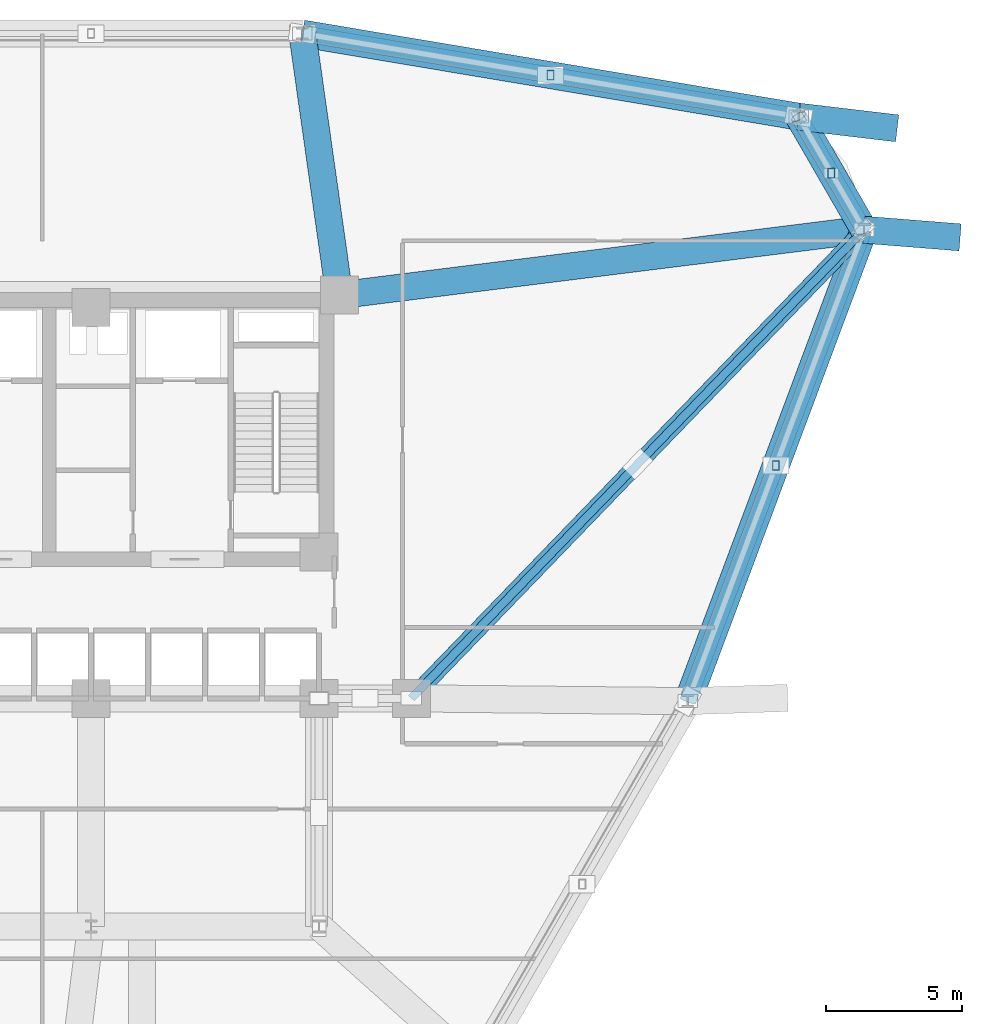
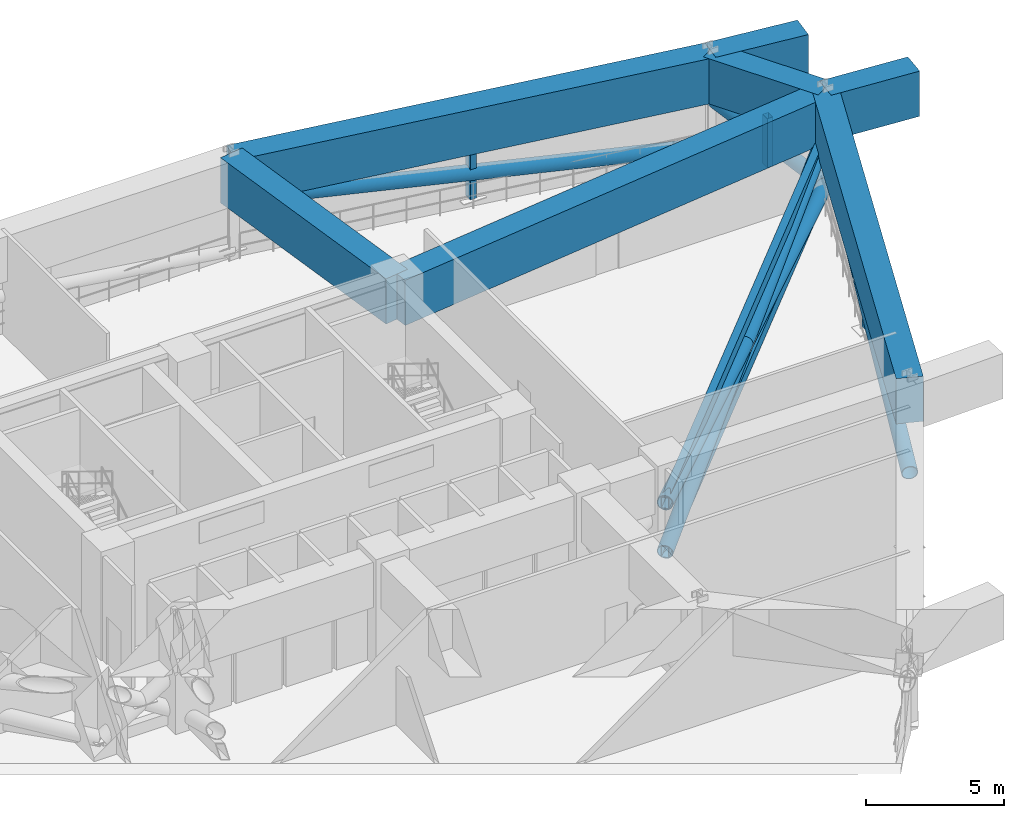
# One storey, part 6 of 12: 11 members, 7 beams.
"""IFC4 building model written with IfcOpenShell, lengths in metres."""

from ifc_helpers import new_model, si_unit, derived_unit, direction, frame, origin, origin_2d, place, context, subcontext, project, spatial, rectangle, hollow_rectangle, hollow_circle, extrude, source, transform, mapped, material, material_profile, profile_set, type_object, element, save


model = new_model("IFC4")

# Units and contexts
model_context = context("Model", 3, precision=1e-05, world=origin(), true_north=direction((0.0, 1.0)))
body_context = subcontext(model_context, "Body", "Model", "MODEL_VIEW")
ifc_project = project(units=[si_unit("LENGTHUNIT", "METRE"), si_unit("AREAUNIT", "SQUARE_METRE"), si_unit("VOLUMEUNIT", "CUBIC_METRE"), si_unit("PLANEANGLEUNIT", "RADIAN"), si_unit("MASSUNIT", "GRAM", prefix="KILO"), derived_unit("THERMALTRANSMITTANCEUNIT", [(si_unit("POWERUNIT", "WATT"), 1), (si_unit("LENGTHUNIT", "METRE"), -2), (si_unit("THERMODYNAMICTEMPERATUREUNIT", "KELVIN"), -1)])], contexts=[model_context])

# Site, building, storey
site_placement = place(None, origin())
site = spatial("IfcSite", under=ifc_project, at=site_placement, CompositionType="ELEMENT")
building_placement = place(site_placement, origin())
building = spatial("IfcBuilding", under=site, at=building_placement, Name="Korsvarv Bourse and Concert Hall", CompositionType="ELEMENT")
storey_placement = place(building_placement, frame((0.0, 0.0, 59.10009765625)))
storey = spatial("IfcBuildingStorey", under=building, at=storey_placement, Name="L14", CompositionType="ELEMENT", Elevation=59.10009765625)

# Beams
ifc_material_1 = material(Name="Concrete C60/75", Category="concrete")
ifc_material_profile_1 = material_profile(ifc_material_1, rectangle(XDim=1.0, YDim=2.0, at=origin_2d()), Name="RC-BM 1000x2000")
ifc_profile_set_1 = profile_set([ifc_material_profile_1], Name="Concrete C60/75")
beam_type = type_object("IfcBeamType", Name="BM-TR1", PredefinedType="BEAM", material=ifc_profile_set_1)
shared_shape_1 = source(origin(), body_context, "Body", "SweptSolid", [
    extrude(rectangle(XDim=1.0, YDim=2.0, at=origin_2d()), origin(), (0.0, 0.0, 1.0), 4.810791015625),
])
beam_1_placement = place(storey_placement, frame((64.474609375, 49.662353515625, 3.56982421875), z_axis=(-0.500019702373, 0.866014028315, 0.0), x_axis=(-0.866014028315, -0.500019702373, 0.0)))
element("IfcBeam", 1, at=beam_1_placement, inside=storey, type_object=beam_type, Name="L14 beam B-TR1", PredefinedType="BEAM", context=body_context, shape_type="MappedRepresentation", body=[
    mapped(shared_shape_1, transform((0.0, 0.0, 0.0), scale=1.0)),
])
shared_shape_2 = source(origin(), body_context, "Body", "SweptSolid", [
    extrude(rectangle(XDim=1.0, YDim=2.0, at=origin_2d()), origin(), (0.0, 0.0, 1.0), 18.538818359375),
])
for number, where, z_axis, x_axis, name in (
    (2, (62.069091796875, 53.82861328125, 3.56982421875), (-0.98627657502, 0.16510153714, 0.0), (-0.16510153714, -0.98627657502, 0.0), "L14 beam B-TR1"),
    (3, (57.983154296875, 32.297119140625, 3.56982421875), (0.35015342957, 0.936692359188, 0.0), (-0.936692359188, 0.35015342957, 0.0), "L14 beam B-TR1"),
):
    element("IfcBeam", number, at=place(storey_placement, frame(where, z_axis=z_axis, x_axis=x_axis)), inside=storey, type_object=beam_type, Name=name, PredefinedType="BEAM", context=body_context, shape_type="MappedRepresentation", body=[
        mapped(shared_shape_2, transform((0.0, 0.0, 0.0), scale=1.0)),
    ])
shared_shape_3 = source(origin(), body_context, "Body", "SweptSolid", [
    extrude(rectangle(XDim=1.0, YDim=2.0, at=origin_2d()), origin(), (0.0, 0.0, 1.0), 19.474609375),
])
beam_2_placement = place(storey_placement, frame((64.474609375, 49.662353515625, 3.56982421875), z_axis=(-0.992298307048, -0.123871182403, 0.0), x_axis=(0.123871182403, -0.992298307048, 0.0)))
element("IfcBeam", 4, at=beam_2_placement, inside=storey, type_object=beam_type, Name="L14 beam B-TR1", PredefinedType="BEAM", context=body_context, shape_type="MappedRepresentation", body=[
    mapped(shared_shape_3, transform((0.0, 0.0, 0.0), scale=1.0)),
])
shared_shape_4 = source(origin(), body_context, "Body", "SweptSolid", [
    extrude(rectangle(XDim=1.0, YDim=2.0, at=origin_2d()), origin(), (0.0, 0.0, 1.0), 9.735595703125),
])
beam_3_placement = place(storey_placement, frame((43.78466796875, 56.889404296875, 3.56982421875), z_axis=(0.140231095274, -0.990118800911, 0.0), x_axis=(0.990118800911, 0.140231095274, 0.0)))
element("IfcBeam", 5, at=beam_3_placement, inside=storey, type_object=beam_type, Name="L14 beam B-TR1", PredefinedType="BEAM", context=body_context, shape_type="MappedRepresentation", body=[
    mapped(shared_shape_4, transform((0.0, 0.0, 0.0), scale=1.0)),
])
shared_shape_5 = source(origin(), body_context, "Body", "SweptSolid", [
    extrude(rectangle(XDim=1.0, YDim=2.0, at=origin_2d()), origin(), (0.0, 0.0, 1.0), 3.552978515625),
])
beam_4_placement = place(storey_placement, frame((64.474609375, 49.662353515625, 3.56982421875), z_axis=(0.996883945387, -0.078882187021, 0.0), x_axis=(0.078882187021, 0.996883945387, 0.0)))
element("IfcBeam", 6, at=beam_4_placement, inside=storey, type_object=beam_type, Name="L14 Block-Shift Transfer Girder 1", PredefinedType="BEAM", context=body_context, shape_type="MappedRepresentation", body=[
    mapped(shared_shape_5, transform((0.0, 0.0, 0.0), scale=1.0)),
])
shared_shape_6 = source(origin(), body_context, "Body", "SweptSolid", [
    extrude(rectangle(XDim=1.0, YDim=2.0, at=origin_2d()), origin(), (0.0, 0.0, 1.0), 3.654052734375),
])
beam_5_placement = place(storey_placement, frame((62.069091796875, 53.82861328125, 3.56982421875), z_axis=(0.993054037324, -0.11765916435, 0.0), x_axis=(0.11765916435, 0.993054037324, 0.0)))
element("IfcBeam", 7, at=beam_5_placement, inside=storey, type_object=beam_type, Name="L14 Block-Shift Transfer Girder 2", PredefinedType="BEAM", context=body_context, shape_type="MappedRepresentation", body=[
    mapped(shared_shape_6, transform((0.0, 0.0, 0.0), scale=1.0)),
])

# Members
ifc_material_2 = material(Name="Steel S460", Category="steel")
ifc_material_profile_2 = material_profile(ifc_material_2, hollow_rectangle(XDim=0.300048828125, YDim=0.5, WallThickness=0.02001953125, at=origin_2d()), Name="RHS 500x300x20")
ifc_profile_set_2 = profile_set([ifc_material_profile_2], Name="Steel S460")
member_type_1 = type_object("IfcMemberType", Name="MEM-RHS500", PredefinedType="CHORD", material=ifc_profile_set_2)
shared_shape_7 = source(origin(), body_context, "Body", "SweptSolid", [
    extrude(hollow_rectangle(XDim=0.300048828125, YDim=0.5, WallThickness=0.02001953125, at=origin_2d()), origin(), (0.0, 0.0, 1.0), 24.000732421875),
])
for number, where, z_axis, x_axis, name in (
    (8, (47.800048828125, 32.39990234375, 0.349853515625), (0.694753340098, 0.719248077107, 0.0), (-0.719248077107, 0.694753340098, 0.0), "L14 Outrigger Truss E2 Bottom Chord"),
    (9, (47.800048828125, 32.39990234375, 2.52001953125), (0.694753340098, 0.719248077107, 0.0), (-0.719248077107, 0.694753340098, 0.0), "L14 Outrigger Truss E2 Top Chord"),
):
    element("IfcMember", number, at=place(storey_placement, frame(where, z_axis=z_axis, x_axis=x_axis)), inside=storey, type_object=member_type_1, Name=name, PredefinedType="CHORD", context=body_context, shape_type="MappedRepresentation", body=[
        mapped(shared_shape_7, transform((0.0, 0.0, 0.0), scale=1.0)),
    ])
ifc_material_profile_3 = material_profile(ifc_material_2, hollow_circle(Radius=0.304931640625, WallThickness=0.02490234375, at=origin_2d()), Name="CHS 610x25")
ifc_profile_set_3 = profile_set([ifc_material_profile_3], Name="Steel S460")
member_type_2 = type_object("IfcMemberType", Name="MEM-CHS610", PredefinedType="BRACE", material=ifc_profile_set_3)
shared_shape_8 = source(origin(), body_context, "Body", "SweptSolid", [
    extrude(hollow_circle(Radius=0.304931640625, WallThickness=0.02490234375, at=origin_2d()), origin(), (0.0, 0.0, 1.0), 24.0986328125),
])
member_1_placement = place(storey_placement, frame((47.800048828125, 32.39990234375, 0.349853515625), z_axis=(0.691930502417, 0.716325715376, 0.090053591355), x_axis=(-0.719248077107, 0.694753340098, 0.0)))
element("IfcMember", 10, at=member_1_placement, inside=storey, type_object=member_type_2, Name="L14 Outrigger Truss E2 Diagonal 1", PredefinedType="BRACE", context=body_context, shape_type="MappedRepresentation", body=[
    mapped(shared_shape_8, transform((0.0, 0.0, 0.0), scale=1.0)),
])
shared_shape_9 = source(origin(), body_context, "Body", "SweptSolid", [
    extrude(hollow_circle(Radius=0.304931640625, WallThickness=0.02490234375, at=origin_2d()), origin(), (0.0, 0.0, 1.0), 12.04931640625),
])
for number, where, z_axis, x_axis, name in (
    (11, (64.474609375, 49.662353515625, 0.349853515625), (-0.691941435499, -0.71631641491, 0.090043564842), (0.719238084009, -0.694763685371, 0.0), "L14 Outrigger Truss E2 Split Diagonal 2A"),
    (12, (56.13720703125, 41.03125, 1.434814453125), (-0.691919569149, -0.716335015599, 0.090063617818), (0.719258070051, -0.694742994687, 0.0), "L14 Outrigger Truss E2 Split Diagonal 2B"),
):
    element("IfcMember", number, at=place(storey_placement, frame(where, z_axis=z_axis, x_axis=x_axis)), inside=storey, type_object=member_type_2, Name=name, PredefinedType="BRACE", context=body_context, shape_type="MappedRepresentation", body=[
        mapped(shared_shape_9, transform((0.0, 0.0, 0.0), scale=1.0)),
    ])
shared_shape_10 = source(origin(), body_context, "Body", "SweptSolid", [
    extrude(hollow_circle(Radius=0.304931640625, WallThickness=0.02490234375, at=origin_2d()), origin(), (0.0, 0.0, 1.0), 5.277587890625),
])
member_2_placement = place(storey_placement, frame((64.474609375, 49.662353515625, 0.349853515625), z_axis=(-0.455791134396, 0.789411926161, 0.411197340266), x_axis=(-0.866014028315, -0.500019702373, 0.0)))
element("IfcMember", 13, at=member_2_placement, inside=storey, type_object=member_type_2, Name="L14 Perimeter Belt Truss Diagonal 1", PredefinedType="BRACE", context=body_context, shape_type="MappedRepresentation", body=[
    mapped(shared_shape_10, transform((0.0, 0.0, 0.0), scale=1.0)),
])
ifc_material_3 = material(Name="Steel S355", Category="steel")
ifc_material_profile_4 = material_profile(ifc_material_3, hollow_rectangle(XDim=0.25, YDim=0.35009765625, WallThickness=0.012451171875, at=origin_2d()), Name="RHS 350x250x12.5")
ifc_profile_set_4 = profile_set([ifc_material_profile_4], Name="Steel S355")
member_type_3 = type_object("IfcMemberType", Name="MEM-RHS350", PredefinedType="STRUT", material=ifc_profile_set_4)
shared_shape_11 = source(origin(), body_context, "Body", "SweptSolid", [
    extrude(hollow_rectangle(XDim=0.25, YDim=0.35009765625, WallThickness=0.012451171875, at=origin_2d()), origin(), (0.0, 0.0, 1.0), 2.170166015625),
])
for number, where, z_axis, x_axis, name in (
    (14, (63.27197265625, 51.745361328125, 0.349853515625), (0.0, 0.0, 1.0), (1.0, 0.0, 0.0), "L14 Perimeter Belt Truss Strut 1"),
    (15, (52.927001953125, 55.35888671875, 0.349853515625), (0.0, 0.0, 1.0), (1.0, 0.0, 0.0), "L14 Perimeter Belt Truss Strut 2"),
    (16, (61.22900390625, 40.979736328125, 0.349853515625), (0.0, 0.0, 1.0), (1.0, 0.0, 0.0), "L14 Perimeter Belt Truss Strut 12"),
):
    element("IfcMember", number, at=place(storey_placement, frame(where, z_axis=z_axis, x_axis=x_axis)), inside=storey, type_object=member_type_3, Name=name, PredefinedType="STRUT", context=body_context, shape_type="MappedRepresentation", body=[
        mapped(shared_shape_11, transform((0.0, 0.0, 0.0), scale=1.0)),
    ])
shared_shape_12 = source(origin(), body_context, "Body", "SweptSolid", [
    extrude(hollow_circle(Radius=0.304931640625, WallThickness=0.02490234375, at=origin_2d()), origin(), (0.0, 0.0, 1.0), 18.66552734375),
])
for number, where, z_axis, x_axis, name in (
    (17, (62.069091796875, 53.82861328125, 0.349853515625), (-0.979587687363, 0.163981825224, 0.116266606398), (-0.16510153714, -0.98627657502, 0.0), "L14 Perimeter Belt Truss Diagonal 2"),
    (18, (57.983154296875, 32.297119140625, 0.349853515625), (0.347778715258, 0.930339781823, 0.116266313134), (-0.936692359188, 0.35015342957, 0.0), "L14 Perimeter Belt Truss Diagonal 12"),
):
    element("IfcMember", number, at=place(storey_placement, frame(where, z_axis=z_axis, x_axis=x_axis)), inside=storey, type_object=member_type_2, Name=name, PredefinedType="BRACE", context=body_context, shape_type="MappedRepresentation", body=[
        mapped(shared_shape_12, transform((0.0, 0.0, 0.0), scale=1.0)),
    ])

save(model, "model.ifc")
